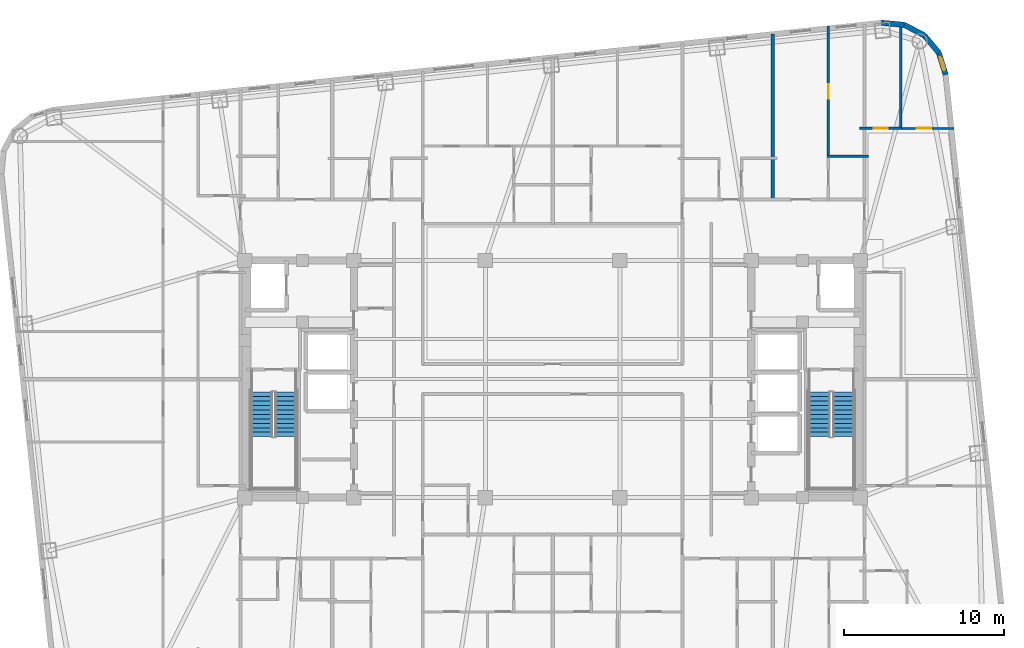
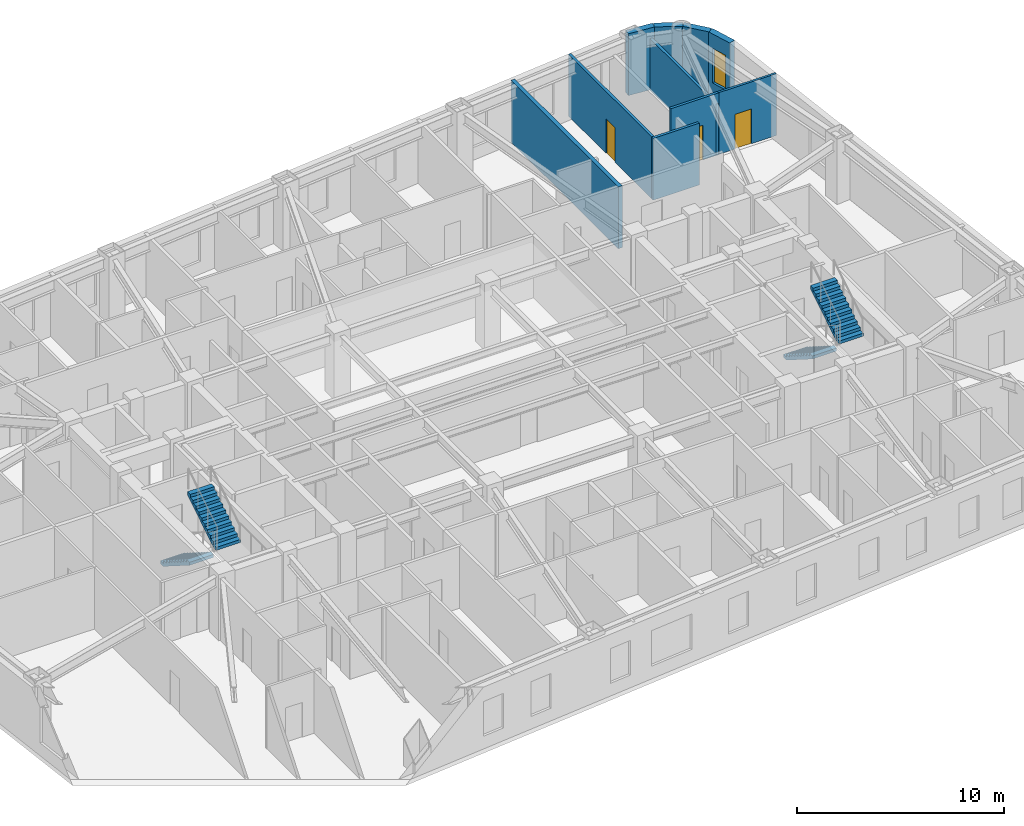
# One storey, part 9 of 11: 10 walls, 4 stair flights, 3 doors, 1 window, 4 openings, 2 elements without a shape of their own.
"""IFC4 building model written with IfcOpenShell, lengths in metres."""

from ifc_helpers import new_model, si_unit, direction, frame, frame_2d, origin, place, context, subcontext, project, spatial, polyline, rectangle, outline, extrude, material, layer, layer_set, type_object, element, fill, aggregate, save


model = new_model("IFC4")

# Units and contexts
model_context = context("Model", 3, precision=1e-05, world=origin(), true_north=direction((0.0, 1.0)))
body_context = subcontext(model_context, "Body", "Model", "MODEL_VIEW")
ifc_project = project(units=[si_unit("LENGTHUNIT", "METRE"), si_unit("AREAUNIT", "SQUARE_METRE"), si_unit("VOLUMEUNIT", "CUBIC_METRE"), si_unit("PLANEANGLEUNIT", "RADIAN"), si_unit("MASSUNIT", "GRAM", prefix="KILO")], contexts=[model_context])

# Site, building, storey
site_placement = place(None, origin())
site = spatial("IfcSite", under=ifc_project, at=site_placement, CompositionType="ELEMENT")
building_placement = place(site_placement, origin())
building = spatial("IfcBuilding", under=site, at=building_placement, Name="Voryun Gate Residences", CompositionType="ELEMENT")
storey_placement = place(building_placement, frame((0.0, 0.0, 183.300048828125)))
storey = spatial("IfcBuildingStorey", under=building, at=storey_placement, Name="L45", CompositionType="ELEMENT", Elevation=183.300048828125)

# Walls
ifc_material_1 = material(Name="Charcoal terracotta masonry", Category="masonry")
ifc_layer_1 = layer(ifc_material_1, 0.340087890625, Name="W_EXT_TERRACOTTA_340")
ifc_layer_set_1 = layer_set([ifc_layer_1], Name="Charcoal terracotta masonry")
wall_type_1 = type_object("IfcWallType", Name="W_EXT_TERRACOTTA_340", PredefinedType="ELEMENTEDWALL", material=ifc_layer_set_1)
wall_1_placement = place(storey_placement, frame((20.5263671875, 22.235107421875, 0.0), z_axis=(0.0, 0.0, 1.0), x_axis=(0.995800460351, -0.091550222087, 0.0)))
element("IfcWall", 1, at=wall_1_placement, inside=storey, type_object=wall_type_1, Name="Exterior wall WEXT-L45-12", PredefinedType="ELEMENTEDWALL", context=body_context, shape_type="SweptSolid", body=[
    extrude(rectangle(XDim=1.43212890625, YDim=0.340087890625, at=frame_2d((0.716064453125, 0.0))), origin(), (0.0, 0.0, 1.0), 3.64990234375),
])
wall_2_placement = place(storey_placement, frame((21.952392578125, 22.10400390625, 0.0), z_axis=(0.0, 0.0, 1.0), x_axis=(0.885023004245, -0.465547292933, 0.0)))
element("IfcWall", 2, at=wall_2_placement, inside=storey, type_object=wall_type_1, Name="Exterior wall WEXT-L45-13", PredefinedType="ELEMENTEDWALL", context=body_context, shape_type="SweptSolid", body=[
    extrude(rectangle(XDim=1.414794921875, YDim=0.340087890625, at=frame_2d((0.70751953125, 0.0))), origin(), (0.0, 0.0, 1.0), 3.64990234375),
])
wall_3_placement = place(storey_placement, frame((23.20458984375, 21.4453125, 0.0), z_axis=(0.0, 0.0, 1.0), x_axis=(0.639539337522, -0.768758372808, 0.0)))
element("IfcWall", 3, at=wall_3_placement, inside=storey, type_object=wall_type_1, Name="Exterior wall WEXT-L45-14", PredefinedType="ELEMENTEDWALL", context=body_context, shape_type="SweptSolid", body=[
    extrude(rectangle(XDim=1.4150390625, YDim=0.340087890625, at=frame_2d((0.70751953125, 0.0))), origin(), (0.0, 0.0, 1.0), 3.64990234375),
])

# Wall, opening, window
wall_4_placement = place(storey_placement, frame((24.109619140625, 20.357421875, 0.0), z_axis=(0.0, 0.0, 1.0), x_axis=(0.296420660287, -0.955057481074, 0.0)))
wall_4 = element("IfcWall", 4, at=wall_4_placement, inside=storey, type_object=wall_type_1, Name="Exterior wall WEXT-L45-15", PredefinedType="ELEMENTEDWALL", context=body_context, shape_type="SweptSolid", body=[
    extrude(rectangle(XDim=1.432373046875, YDim=0.340087890625, at=frame_2d((0.71630859375, 0.0))), origin(), (0.0, 0.0, 1.0), 3.64990234375),
])
opening_1_placement = place(wall_4_placement, frame((0.291015625, 0.0, 0.75)))
opening_1 = element("IfcOpeningElement", 5, at=opening_1_placement, cuts=wall_4, Name="Opening WN9", PredefinedType="OPENING", context=body_context, shape_type="SweptSolid", body=[
    extrude(rectangle(XDim=0.85009765625, YDim=2.050048828125, at=frame_2d((0.425048828125, 1.02490234375))), frame((0.0, 0.179931640625, 0.0), z_axis=(0.0, -1.0, 0.0), x_axis=(1.0, 0.0, 0.0)), (0.0, 0.0, 1.0), 0.360107421875),
])
ifc_material_2 = material(Name="Laminated low-E glass", Category="glass")
window_type = type_object("IfcWindowType", Name="WN_RES_CASEMENT_850", PartitioningType="SINGLE_PANEL", PredefinedType="WINDOW", material=ifc_material_2)
window_placement = place(opening_1_placement, origin())
window = element("IfcWindow", 6, at=window_placement, inside=storey, type_object=window_type, Name="Window WN-L45-DWFIX-28", OverallHeight=2.050048828125, OverallWidth=0.85009765625, PartitioningType="SINGLE_PANEL", PredefinedType="WINDOW", context=body_context, shape_type="SweptSolid", body=[
    extrude(rectangle(XDim=0.85009765625, YDim=2.050048828125, at=frame_2d((0.425048828125, 1.02490234375))), frame((0.0, 0.030029296875, 0.0), z_axis=(0.0, -1.0, 0.0), x_axis=(1.0, 0.0, 0.0)), (0.0, 0.0, 1.0), 0.06005859375),
])
fill(opening_1, window)

# Wall
ifc_material_3 = material(Name="Concrete C40/50", Category="concrete")
ifc_layer_2 = layer(ifc_material_3, 0.219970703125, Name="W_PARTY_ACOUSTIC_220")
ifc_layer_set_2 = layer_set([ifc_layer_2], Name="Concrete C40/50")
wall_type_2 = type_object("IfcWallType", Name="W_PARTY_ACOUSTIC_220", PredefinedType="PARTITIONING", material=ifc_layer_set_2)
wall_5_placement = place(storey_placement, frame((13.739990234375, 11.1201171875, 0.0), z_axis=(0.0, 0.0, 1.0), x_axis=(0.0, 1.0, 0.0)))
element("IfcWall", 7, at=wall_5_placement, inside=storey, type_object=wall_type_2, Name="Partition wall WP-L45-NPTY-4", PredefinedType="PARTITIONING", context=body_context, shape_type="SweptSolid", body=[
    extrude(rectangle(XDim=10.40185546875, YDim=0.219970703125, at=frame_2d((5.200927734375, 0.0))), origin(), (0.0, 0.0, 1.0), 3.64990234375),
])

# Wall, opening, door
ifc_material_4 = material(Name="Gypsum acoustic partition")
ifc_layer_3 = layer(ifc_material_4, 0.125, Name="W_UNIT_PART_125")
ifc_layer_set_3 = layer_set([ifc_layer_3], Name="Gypsum acoustic partition")
wall_type_3 = type_object("IfcWallType", Name="W_UNIT_PART_125", PredefinedType="PARTITIONING", material=ifc_layer_set_3)
wall_6_placement = place(storey_placement, frame((21.6689453125, 15.64208984375, 0.0), z_axis=(0.0, 0.0, 1.0), x_axis=(1.0, 0.0, 0.0)))
wall_6 = element("IfcWall", 8, at=wall_6_placement, inside=storey, type_object=wall_type_3, Name="Partition wall WP-L45-E2-OHZ", PredefinedType="PARTITIONING", context=body_context, shape_type="SweptSolid", body=[
    extrude(rectangle(XDim=3.367919921875, YDim=0.125, at=frame_2d((1.68408203125, 0.0))), origin(), (0.0, 0.0, 1.0), 3.64990234375),
])
opening_2_placement = place(wall_6_placement, frame((1.065673828125, 0.0, 0.0)))
opening_2 = element("IfcOpeningElement", 9, at=opening_2_placement, cuts=wall_6, Name="Opening D-INT-2", PredefinedType="OPENING", context=body_context, shape_type="SweptSolid", body=[
    extrude(rectangle(XDim=0.89990234375, YDim=2.050048828125, at=frame_2d((0.449951171875, 1.02490234375))), frame((0.0, 0.072509765625, 0.0), z_axis=(0.0, -1.0, 0.0), x_axis=(1.0, 0.0, 0.0)), (0.0, 0.0, 1.0), 0.14501953125),
])
ifc_material_5 = material(Name="Architectural oak veneer")
door_type = type_object("IfcDoorType", Name="DR_INT_BATH_900", OperationType="NOTDEFINED", PredefinedType="DOOR", material=ifc_material_5)
door_1_placement = place(opening_2_placement, origin())
door_1 = element("IfcDoor", 10, at=door_1_placement, inside=storey, type_object=door_type, Name="Door DR-L45-E2-DMB", OperationType="SINGLE_SWING_LEFT", OverallHeight=2.050048828125, OverallWidth=0.89990234375, PredefinedType="DOOR", context=body_context, shape_type="SweptSolid", body=[
    extrude(rectangle(XDim=0.89990234375, YDim=2.050048828125, at=frame_2d((0.449951171875, 1.02490234375))), frame((0.0, 0.02490234375, 0.0), z_axis=(0.0, -1.0, 0.0), x_axis=(1.0, 0.0, 0.0)), (0.0, 0.0, 1.0), 0.050048828125),
])
fill(opening_2, door_1)

# Wall
ifc_material_6 = material(Name="Gypsum moisture-resistant partition")
ifc_layer_4 = layer(ifc_material_6, 0.14990234375, Name="W_WET_PLUMB_150")
ifc_layer_set_4 = layer_set([ifc_layer_4], Name="Gypsum moisture-resistant partition")
wall_type_4 = type_object("IfcWallType", Name="W_WET_PLUMB_150", PredefinedType="PLUMBINGWALL", material=ifc_layer_set_4)
wall_7_placement = place(storey_placement, frame((17.135986328125, 13.89990234375, 0.0), z_axis=(0.0, 0.0, 1.0), x_axis=(1.0, 0.0, 0.0)))
element("IfcWall", 11, at=wall_7_placement, inside=storey, type_object=wall_type_4, Name="Partition wall WP-L45-N5-SKB", PredefinedType="PLUMBINGWALL", context=body_context, shape_type="SweptSolid", body=[
    extrude(rectangle(XDim=2.583984375, YDim=0.14990234375, at=frame_2d((1.2919921875, 0.0))), origin(), (0.0, 0.0, 1.0), 3.64990234375),
])

# Wall, opening, door
wall_8_placement = place(storey_placement, frame((17.216064453125, 13.860107421875, 0.0), z_axis=(0.0, 0.0, 1.0), x_axis=(0.0, 1.0, 0.0)))
wall_8 = element("IfcWall", 12, at=wall_8_placement, inside=storey, type_object=wall_type_4, Name="Partition wall WP-L45-N5-SVT2", PredefinedType="PLUMBINGWALL", context=body_context, shape_type="SweptSolid", body=[
    extrude(rectangle(XDim=8.177978515625, YDim=0.14990234375, at=frame_2d((4.0888671875, 0.0))), origin(), (0.0, 0.0, 1.0), 3.64990234375),
])
opening_3_placement = place(wall_8_placement, frame((3.63916015625, 0.0, 0.0)))
opening_3 = element("IfcOpeningElement", 13, at=opening_3_placement, cuts=wall_8, Name="Opening D-INT-2", PredefinedType="OPENING", context=body_context, shape_type="SweptSolid", body=[
    extrude(rectangle(XDim=0.89990234375, YDim=2.050048828125, at=frame_2d((0.449951171875, 1.02490234375))), frame((0.0, 0.0849609375, 0.0), z_axis=(0.0, -1.0, 0.0), x_axis=(1.0, 0.0, 0.0)), (0.0, 0.0, 1.0), 0.169921875),
])
door_2_placement = place(opening_3_placement, origin())
door_2 = element("IfcDoor", 14, at=door_2_placement, inside=storey, type_object=door_type, Name="Door DR-L45-N5-DK", OperationType="SINGLE_SWING_RIGHT", OverallHeight=2.050048828125, OverallWidth=0.89990234375, PredefinedType="DOOR", context=body_context, shape_type="SweptSolid", body=[
    extrude(rectangle(XDim=0.89990234375, YDim=2.050048828125, at=frame_2d((0.449951171875, 1.02490234375))), frame((0.0, 0.02490234375, 0.0), z_axis=(0.0, -1.0, 0.0), x_axis=(1.0, 0.0, 0.0)), (0.0, 0.0, 1.0), 0.050048828125),
])
fill(opening_3, door_2)

wall_9_placement = place(storey_placement, frame((19.14990234375, 15.64208984375, 0.0), z_axis=(0.0, 0.0, 1.0), x_axis=(1.0, 0.0, 0.0)))
wall_9 = element("IfcWall", 15, at=wall_9_placement, inside=storey, type_object=wall_type_4, Name="Partition wall WP-L45-E2-IBB", PredefinedType="PLUMBINGWALL", context=body_context, shape_type="SweptSolid", body=[
    extrude(rectangle(XDim=2.6591796875, YDim=0.14990234375, at=frame_2d((1.32958984375, 0.0))), origin(), (0.0, 0.0, 1.0), 3.64990234375),
])
opening_4_placement = place(wall_9_placement, frame((0.87939453125, 0.0, 0.0)))
opening_4 = element("IfcOpeningElement", 16, at=opening_4_placement, cuts=wall_9, Name="Opening D-INT-2", PredefinedType="OPENING", context=body_context, shape_type="SweptSolid", body=[
    extrude(rectangle(XDim=0.89990234375, YDim=2.050048828125, at=frame_2d((0.449951171875, 1.02490234375))), frame((0.0, 0.0849609375, 0.0), z_axis=(0.0, -1.0, 0.0), x_axis=(1.0, 0.0, 0.0)), (0.0, 0.0, 1.0), 0.169921875),
])
door_3_placement = place(opening_4_placement, origin())
door_3 = element("IfcDoor", 17, at=door_3_placement, inside=storey, type_object=door_type, Name="Door DR-L45-E2-DB", OperationType="SINGLE_SWING_RIGHT", OverallHeight=2.050048828125, OverallWidth=0.89990234375, PredefinedType="DOOR", context=body_context, shape_type="SweptSolid", body=[
    extrude(rectangle(XDim=0.89990234375, YDim=2.050048828125, at=frame_2d((0.449951171875, 1.02490234375))), frame((0.0, 0.02490234375, 0.0), z_axis=(0.0, -1.0, 0.0), x_axis=(1.0, 0.0, 0.0)), (0.0, 0.0, 1.0), 0.050048828125),
])
fill(opening_4, door_3)

# Wall
wall_10_placement = place(storey_placement, frame((21.72900390625, 15.56201171875, 0.0), z_axis=(0.0, 0.0, 1.0), x_axis=(0.0, 1.0, 0.0)))
element("IfcWall", 18, at=wall_10_placement, inside=storey, type_object=wall_type_4, Name="Partition wall WP-L45-E2-VTB", PredefinedType="PLUMBINGWALL", context=body_context, shape_type="SweptSolid", body=[
    extrude(rectangle(XDim=6.71337890625, YDim=0.14990234375, at=frame_2d((3.356689453125, 0.0))), origin(), (0.0, 0.0, 1.0), 3.0400390625),
])

# Stair, stair flights
ifc_material_7 = material(Name="Concrete C40/50", Category="concrete")
stair_type = type_object("IfcStairType", Name="STR_CORE_DOGLEG_1350", PredefinedType="HALF_TURN_STAIR", material=ifc_material_7)
stair_1_placement = place(storey_placement, origin())
stair_1 = element("IfcStair", 19, at=stair_1_placement, inside=storey, type_object=stair_type, Name="L45 Special Escape Stair ST-W1", PredefinedType="HALF_TURN_STAIR")
ifc_material_8 = material(Name="Concrete C40/50", Category="concrete")
stair_flight_type = type_object("IfcStairFlightType", Name="FLT_CORE_1350", PredefinedType="STRAIGHT", material=ifc_material_8)
stair_flight_1_placement = place(storey_placement, frame((-18.14990234375, -0.800048828125, 0.0), z_axis=(0.0, 0.0, 1.0), x_axis=(0.0, -1.0, 0.0)))
stair_flight_1 = element("IfcStairFlight", 20, at=stair_flight_1_placement, type_object=stair_flight_type, Name="ST-W1 flight 1", NumberOfRisers=11, NumberOfTreads=10, PredefinedType="STRAIGHT", RiserHeight=0.177272727, TreadLength=0.28, context=body_context, shape_type="SweptSolid", body=[
    extrude(outline(polyline([(0.0, 0.0), (0.0, 0.17724609375), (0.280029296875, 0.17724609375), (0.280029296875, 0.3544921875), (0.56005859375, 0.3544921875), (0.56005859375, 0.53173828125), (0.840087890625, 0.53173828125), (0.840087890625, 0.708984375), (1.1201171875, 0.708984375), (1.1201171875, 0.886474609375), (1.39990234375, 0.886474609375), (1.39990234375, 1.063720703125), (1.679931640625, 1.063720703125), (1.679931640625, 1.240966796875), (1.9599609375, 1.240966796875), (1.9599609375, 1.418212890625), (2.239990234375, 1.418212890625), (2.239990234375, 1.595458984375), (2.52001953125, 1.595458984375), (2.52001953125, 1.772705078125), (2.800048828125, 1.772705078125), (2.800048828125, 1.949951171875), (2.800048828125, 1.59521484375), (0.2802734375, 0.0), (0.0, 0.0)])), frame((0.0, 0.675048828125, 0.0), z_axis=(0.0, -1.0, 0.0), x_axis=(1.0, 0.0, 0.0)), (0.0, 0.0, 1.0), 1.35009765625),
])
stair_flight_2_placement = place(storey_placement, frame((-16.64990234375, -3.60009765625, 1.949951171875), z_axis=(0.0, 0.0, 1.0), x_axis=(0.0, 1.0, 0.0)))
stair_flight_2 = element("IfcStairFlight", 21, at=stair_flight_2_placement, type_object=stair_flight_type, Name="ST-W1 flight 2", NumberOfRisers=11, NumberOfTreads=10, PredefinedType="STRAIGHT", RiserHeight=0.177272727, TreadLength=0.28, context=body_context, shape_type="SweptSolid", body=[
    extrude(outline(polyline([(0.0, 0.0), (0.0, 0.17724609375), (0.280029296875, 0.17724609375), (0.280029296875, 0.3544921875), (0.56005859375, 0.3544921875), (0.56005859375, 0.53173828125), (0.840087890625, 0.53173828125), (0.840087890625, 0.708984375), (1.1201171875, 0.708984375), (1.1201171875, 0.886474609375), (1.39990234375, 0.886474609375), (1.39990234375, 1.063720703125), (1.679931640625, 1.063720703125), (1.679931640625, 1.240966796875), (1.9599609375, 1.240966796875), (1.9599609375, 1.418212890625), (2.239990234375, 1.418212890625), (2.239990234375, 1.595458984375), (2.52001953125, 1.595458984375), (2.52001953125, 1.772705078125), (2.800048828125, 1.772705078125), (2.800048828125, 1.949951171875), (2.800048828125, 1.59521484375), (0.2802734375, 0.0), (0.0, 0.0)])), frame((0.0, 0.675048828125, 0.0), z_axis=(0.0, -1.0, 0.0), x_axis=(1.0, 0.0, 0.0)), (0.0, 0.0, 1.0), 1.35009765625),
])
aggregate(stair_1, [stair_flight_1, stair_flight_2])

stair_2_placement = place(storey_placement, origin())
stair_2 = element("IfcStair", 22, at=stair_2_placement, inside=storey, type_object=stair_type, Name="L45 Special Escape Stair ST-E1", PredefinedType="HALF_TURN_STAIR")
stair_flight_3_placement = place(storey_placement, frame((16.64990234375, -0.800048828125, 0.0), z_axis=(0.0, 0.0, 1.0), x_axis=(0.0, -1.0, 0.0)))
stair_flight_3 = element("IfcStairFlight", 23, at=stair_flight_3_placement, type_object=stair_flight_type, Name="ST-E1 flight 1", NumberOfRisers=11, NumberOfTreads=10, PredefinedType="STRAIGHT", RiserHeight=0.177272727, TreadLength=0.28, context=body_context, shape_type="SweptSolid", body=[
    extrude(outline(polyline([(0.0, 0.0), (0.0, 0.17724609375), (0.280029296875, 0.17724609375), (0.280029296875, 0.3544921875), (0.56005859375, 0.3544921875), (0.56005859375, 0.53173828125), (0.840087890625, 0.53173828125), (0.840087890625, 0.708984375), (1.1201171875, 0.708984375), (1.1201171875, 0.886474609375), (1.39990234375, 0.886474609375), (1.39990234375, 1.063720703125), (1.679931640625, 1.063720703125), (1.679931640625, 1.240966796875), (1.9599609375, 1.240966796875), (1.9599609375, 1.418212890625), (2.239990234375, 1.418212890625), (2.239990234375, 1.595458984375), (2.52001953125, 1.595458984375), (2.52001953125, 1.772705078125), (2.800048828125, 1.772705078125), (2.800048828125, 1.949951171875), (2.800048828125, 1.59521484375), (0.2802734375, 0.0), (0.0, 0.0)])), frame((0.0, 0.675048828125, 0.0), z_axis=(0.0, -1.0, 0.0), x_axis=(1.0, 0.0, 0.0)), (0.0, 0.0, 1.0), 1.35009765625),
])
stair_flight_4_placement = place(storey_placement, frame((18.14990234375, -3.60009765625, 1.949951171875), z_axis=(0.0, 0.0, 1.0), x_axis=(0.0, 1.0, 0.0)))
stair_flight_4 = element("IfcStairFlight", 24, at=stair_flight_4_placement, type_object=stair_flight_type, Name="ST-E1 flight 2", NumberOfRisers=11, NumberOfTreads=10, PredefinedType="STRAIGHT", RiserHeight=0.177272727, TreadLength=0.28, context=body_context, shape_type="SweptSolid", body=[
    extrude(outline(polyline([(0.0, 0.0), (0.0, 0.17724609375), (0.280029296875, 0.17724609375), (0.280029296875, 0.3544921875), (0.56005859375, 0.3544921875), (0.56005859375, 0.53173828125), (0.840087890625, 0.53173828125), (0.840087890625, 0.708984375), (1.1201171875, 0.708984375), (1.1201171875, 0.886474609375), (1.39990234375, 0.886474609375), (1.39990234375, 1.063720703125), (1.679931640625, 1.063720703125), (1.679931640625, 1.240966796875), (1.9599609375, 1.240966796875), (1.9599609375, 1.418212890625), (2.239990234375, 1.418212890625), (2.239990234375, 1.595458984375), (2.52001953125, 1.595458984375), (2.52001953125, 1.772705078125), (2.800048828125, 1.772705078125), (2.800048828125, 1.949951171875), (2.800048828125, 1.59521484375), (0.2802734375, 0.0), (0.0, 0.0)])), frame((0.0, 0.675048828125, 0.0), z_axis=(0.0, -1.0, 0.0), x_axis=(1.0, 0.0, 0.0)), (0.0, 0.0, 1.0), 1.35009765625),
])
aggregate(stair_2, [stair_flight_3, stair_flight_4])

save(model, "model.ifc")
